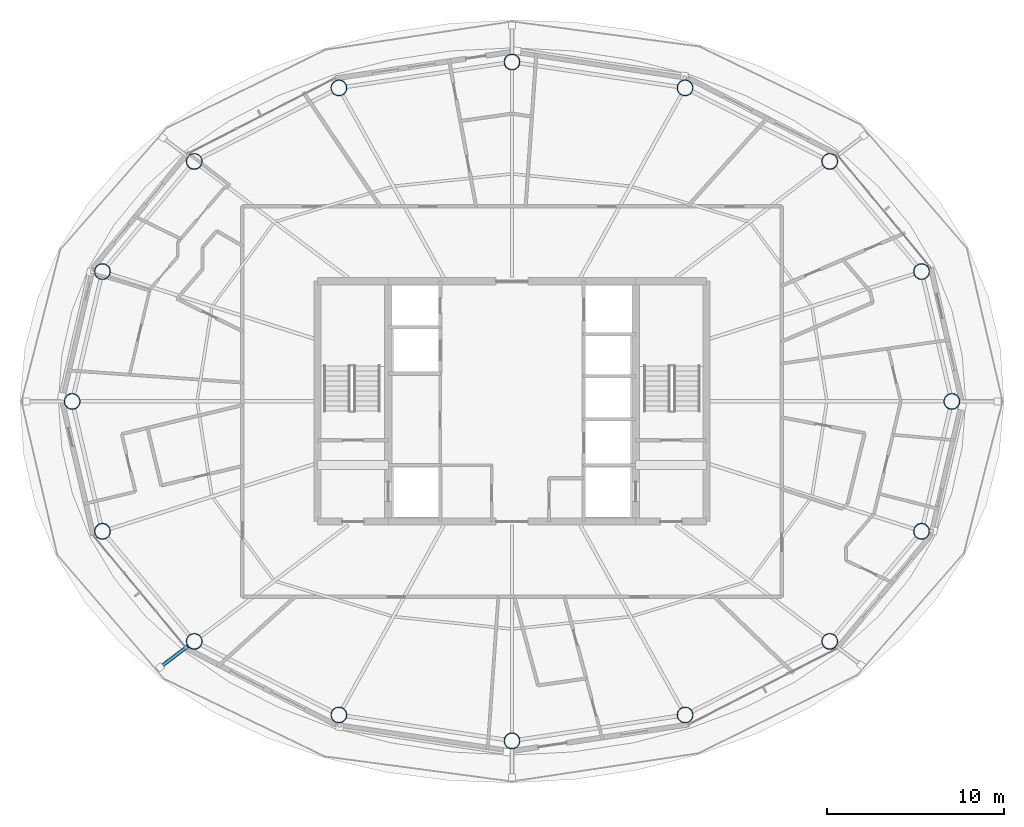
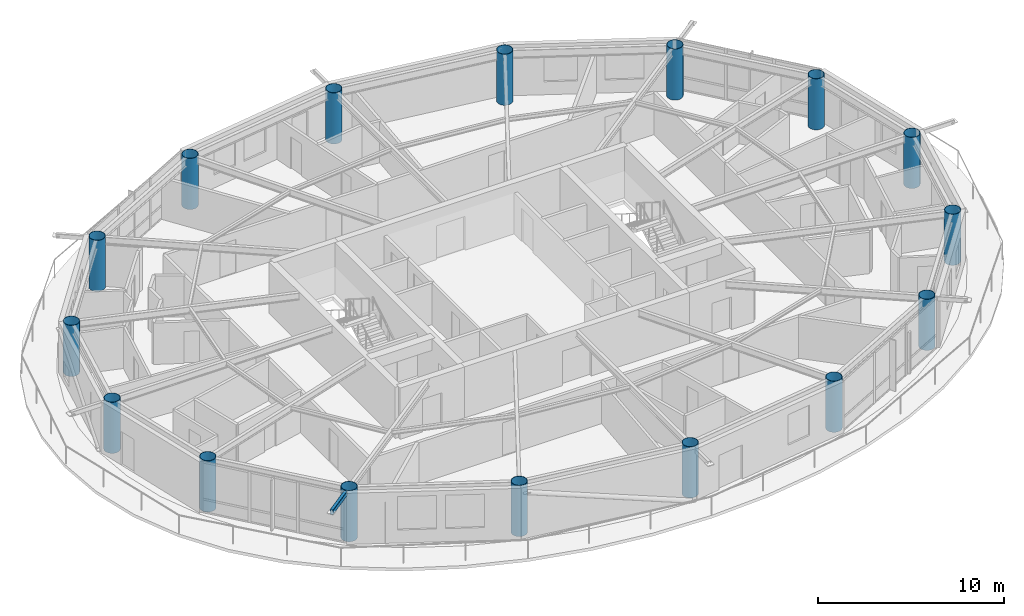
# One storey, part 1 of 22: 16 columns, 1 member.
"""IFC4 building model written with IfcOpenShell, lengths in metres."""

from ifc_helpers import new_model, si_unit, direction, frame, origin, origin_2d, place, context, subcontext, project, spatial, hollow_rectangle, hollow_circle, extrude, material, material_profile, profile_set, type_object, element, save


model = new_model("IFC4")

# Units and contexts
model_context = context("Model", 3, precision=1e-05, world=origin(), true_north=direction((0.0, 1.0)))
body_context = subcontext(model_context, "Body", "Model", "MODEL_VIEW")
ifc_project = project(units=[si_unit("LENGTHUNIT", "METRE"), si_unit("AREAUNIT", "SQUARE_METRE"), si_unit("VOLUMEUNIT", "CUBIC_METRE"), si_unit("PLANEANGLEUNIT", "RADIAN"), si_unit("MASSUNIT", "GRAM", prefix="KILO")], contexts=[model_context])

# Site, building, storey
site_placement = place(None, origin())
site = spatial("IfcSite", under=ifc_project, at=site_placement, CompositionType="ELEMENT")
building_placement = place(site_placement, origin())
building = spatial("IfcBuilding", under=site, at=building_placement, Name="Sarneth Arch Tower", CompositionType="ELEMENT")
storey_placement = place(building_placement, frame((0.0, 0.0, 210.0)))
storey = spatial("IfcBuildingStorey", under=building, at=storey_placement, Name="L53", CompositionType="ELEMENT", Elevation=210.0)

# Columns
ifc_material_1 = material(Name="Steel S355", Category="steel")
ifc_material_profile_1 = material_profile(ifc_material_1, hollow_circle(Radius=0.449951171875, WallThickness=0.02490234375, at=origin_2d()), Name="CHS900x25")
ifc_profile_set_1 = profile_set([ifc_material_profile_1], Name="Steel S355")
column_type = type_object("IfcColumnType", Name="COL-MEGA-900", PredefinedType="COLUMN", material=ifc_profile_set_1)
for number, where, z_axis, x_axis, name in (
    (1, (72.88330078125, 42.0, 0.0), (0.0, 0.0, 1.0), (1.0, 0.0, 0.0), "L53 Perimeter mega-column M01"),
    (2, (71.1689453125, 49.347412109375, 0.0), (0.0, 0.0, 1.0), (1.0, 0.0, 0.0), "L53 Perimeter mega-column M02"),
    (3, (65.975341796875, 55.576416015625, 0.0), (0.0, 0.0, 1.0), (1.0, 0.0, 0.0), "L53 Perimeter mega-column M03"),
    (4, (57.790771484375, 59.738525390625, 0.0), (0.0, 0.0, 1.0), (1.0, 0.0, 0.0), "L53 Perimeter mega-column M04"),
    (5, (48.0, 61.199951171875, 0.0), (0.0, 0.0, 1.0), (1.0, 0.0, 0.0), "L53 Perimeter mega-column M05"),
    (6, (38.209228515625, 59.738525390625, 0.0), (0.0, 0.0, 1.0), (1.0, 0.0, 0.0), "L53 Perimeter mega-column M06"),
    (7, (30.024658203125, 55.576416015625, 0.0), (0.0, 0.0, 1.0), (1.0, 0.0, 0.0), "L53 Perimeter mega-column M07"),
    (8, (24.8310546875, 49.347412109375, 0.0), (0.0, 0.0, 1.0), (1.0, 0.0, 0.0), "L53 Perimeter mega-column M08"),
    (9, (23.11669921875, 42.0, 0.0), (0.0, 0.0, 1.0), (1.0, 0.0, 0.0), "L53 Perimeter mega-column M09"),
    (10, (24.8310546875, 34.652587890625, 0.0), (0.0, 0.0, 1.0), (1.0, 0.0, 0.0), "L53 Perimeter mega-column M10"),
    (11, (30.024658203125, 28.423583984375, 0.0), (0.0, 0.0, 1.0), (1.0, 0.0, 0.0), "L53 Perimeter mega-column M11"),
    (12, (38.209228515625, 24.261474609375, 0.0), (0.0, 0.0, 1.0), (1.0, 0.0, 0.0), "L53 Perimeter mega-column M12"),
    (13, (48.0, 22.800048828125, 0.0), (0.0, 0.0, 1.0), (1.0, 0.0, 0.0), "L53 Perimeter mega-column M13"),
    (14, (57.790771484375, 24.261474609375, 0.0), (0.0, 0.0, 1.0), (1.0, 0.0, 0.0), "L53 Perimeter mega-column M14"),
    (15, (65.975341796875, 28.423583984375, 0.0), (0.0, 0.0, 1.0), (1.0, 0.0, 0.0), "L53 Perimeter mega-column M15"),
    (16, (71.1689453125, 34.652587890625, 0.0), (0.0, 0.0, 1.0), (1.0, 0.0, 0.0), "L53 Perimeter mega-column M16"),
):
    element("IfcColumn", number, at=place(storey_placement, frame(where, z_axis=z_axis, x_axis=x_axis)), inside=storey, type_object=column_type, Name=name, PredefinedType="COLUMN", context=body_context, shape_type="SweptSolid", body=[
        extrude(hollow_circle(Radius=0.449951171875, WallThickness=0.02490234375, at=origin_2d()), origin(), (0.0, 0.0, 1.0), 3.360107421875),
    ])

# Member
ifc_material_2 = material(Name="Steel S355", Category="steel")
ifc_material_profile_2 = material_profile(ifc_material_2, hollow_rectangle(XDim=0.199951171875, YDim=0.300048828125, WallThickness=0.012451171875, InnerFilletRadius=0.018798828125, OuterFilletRadius=0.03125, at=origin_2d()), Name="RHS300x200x12.5")
ifc_profile_set_2 = profile_set([ifc_material_profile_2], Name="Steel S355")
member_type = type_object("IfcMemberType", Name="MEM-CANT-STRUT", PredefinedType="STRUT", material=ifc_profile_set_2)
member_placement = place(storey_placement, frame((29.665771484375, 28.15234375, 3.199951171875), z_axis=(-0.797966257869, -0.602702124853, 0.0), x_axis=(0.602702124853, -0.797966257869, 0.0)))
element("IfcMember", 17, at=member_placement, inside=storey, type_object=member_type, Name="L53 Balcony cantilever bracket 11", PredefinedType="STRUT", context=body_context, shape_type="SweptSolid", body=[
    extrude(hollow_rectangle(XDim=0.199951171875, YDim=0.300048828125, WallThickness=0.012451171875, InnerFilletRadius=0.018798828125, OuterFilletRadius=0.03125, at=origin_2d()), origin(), (0.0, 0.0, 1.0), 1.97802734375),
])

save(model, "model.ifc")
